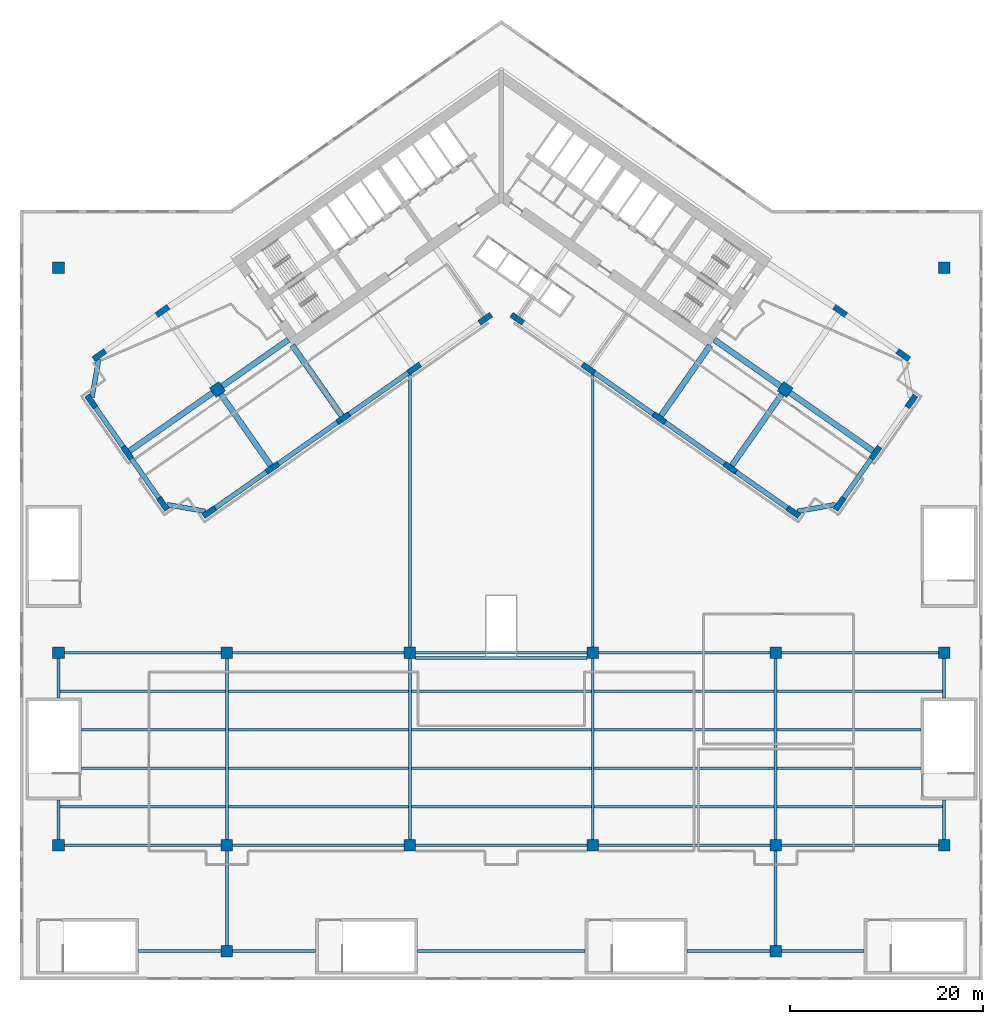
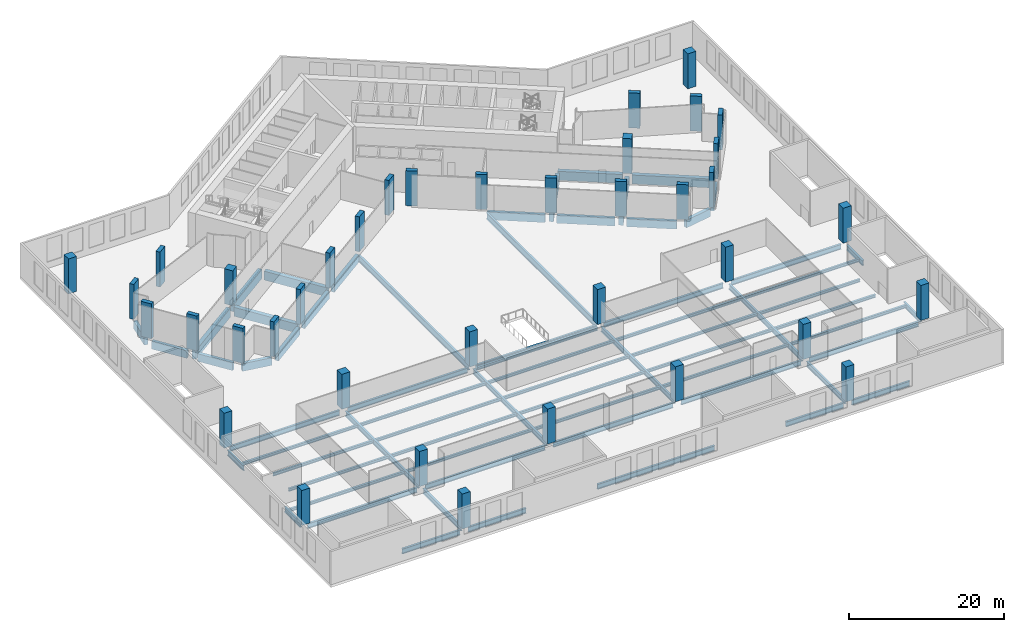
# One storey, part 1 of 15: 68 beams, 38 columns.
"""IFC4 building model written with IfcOpenShell, lengths in metres."""

from ifc_helpers import new_model, si_unit, direction, frame, origin, origin_2d, place, context, subcontext, project, spatial, rectangle, i_section, extrude, material, material_profile, profile_set, type_object, element, save


model = new_model("IFC4")

# Units and contexts
model_context = context("Model", 3, precision=1e-05, world=origin(), true_north=direction((0.0, 1.0)))
body_context = subcontext(model_context, "Body", "Model", "MODEL_VIEW")
ifc_project = project(units=[si_unit("LENGTHUNIT", "METRE"), si_unit("AREAUNIT", "SQUARE_METRE"), si_unit("VOLUMEUNIT", "CUBIC_METRE"), si_unit("PLANEANGLEUNIT", "RADIAN"), si_unit("MASSUNIT", "GRAM", prefix="KILO")], contexts=[model_context])

# Site, building, storey
site_placement = place(None, origin())
site = spatial("IfcSite", under=ifc_project, at=site_placement, CompositionType="ELEMENT")
building_placement = place(site_placement, origin())
building = spatial("IfcBuilding", under=site, at=building_placement, Name="Tel Ilan Convention Tower", CompositionType="ELEMENT")
storey_placement = place(building_placement, frame((0.0, 0.0, 43.0)))
storey = spatial("IfcBuildingStorey", under=building, at=storey_placement, Name="L06", CompositionType="ELEMENT", Elevation=43.0)

# Columns
ifc_material_1 = material(Name="Concrete C50/60", Category="concrete")
ifc_material_profile_1 = material_profile(ifc_material_1, rectangle(XDim=1.199951171875, YDim=1.199951171875, at=origin_2d()), Name="RC 1200x1200")
ifc_profile_set_1 = profile_set([ifc_material_profile_1], Name="Concrete C50/60")
column_type_1 = type_object("IfcColumnType", Name="Column RC 1200x1200 C50/60", PredefinedType="COLUMN", material=ifc_profile_set_1)
for number, where, z_axis, x_axis, name in (
    (1, (-28.5, -79.0, 0.0), (0.0, 0.0, 1.0), (1.0, 0.0, 0.0), "L06 column PC12"),
    (2, (28.5, -79.0, 0.0), (0.0, 0.0, 1.0), (1.0, 0.0, 0.0), "L06 column PC15"),
    (3, (-46.0, -68.0, 0.0), (0.0, 0.0, 1.0), (1.0, 0.0, 0.0), "L06 column PC21"),
    (4, (-28.5, -68.0, 0.0), (0.0, 0.0, 1.0), (1.0, 0.0, 0.0), "L06 column PC22"),
    (5, (-9.5, -68.0, 0.0), (0.0, 0.0, 1.0), (1.0, 0.0, 0.0), "L06 column PC23"),
    (6, (9.5, -68.0, 0.0), (0.0, 0.0, 1.0), (1.0, 0.0, 0.0), "L06 column PC24"),
    (7, (28.5, -68.0, 0.0), (0.0, 0.0, 1.0), (1.0, 0.0, 0.0), "L06 column PC25"),
    (8, (46.0, -68.0, 0.0), (0.0, 0.0, 1.0), (1.0, 0.0, 0.0), "L06 column PC26"),
    (9, (-46.0, -48.0, 0.0), (0.0, 0.0, 1.0), (1.0, 0.0, 0.0), "L06 column PC31"),
    (10, (-28.5, -48.0, 0.0), (0.0, 0.0, 1.0), (1.0, 0.0, 0.0), "L06 column PC32"),
    (11, (-9.5, -48.0, 0.0), (0.0, 0.0, 1.0), (1.0, 0.0, 0.0), "L06 column PC33"),
    (12, (9.5, -48.0, 0.0), (0.0, 0.0, 1.0), (1.0, 0.0, 0.0), "L06 column PC34"),
    (13, (28.5, -48.0, 0.0), (0.0, 0.0, 1.0), (1.0, 0.0, 0.0), "L06 column PC35"),
    (14, (46.0, -48.0, 0.0), (0.0, 0.0, 1.0), (1.0, 0.0, 0.0), "L06 column PC36"),
    (15, (-46.0, -8.0, 0.0), (0.0, 0.0, 1.0), (1.0, 0.0, 0.0), "L06 column PC51"),
    (16, (46.0, -8.0, 0.0), (0.0, 0.0, 1.0), (1.0, 0.0, 0.0), "L06 column PC56"),
):
    element("IfcColumn", number, at=place(storey_placement, frame(where, z_axis=z_axis, x_axis=x_axis)), inside=storey, type_object=column_type_1, Name=name, PredefinedType="COLUMN", context=body_context, shape_type="SweptSolid", body=[
        extrude(rectangle(XDim=1.199951171875, YDim=1.199951171875, at=origin_2d()), origin(), (0.0, 0.0, 1.0), 5.5),
    ])
ifc_material_2 = material(Name="Concrete C60/75", Category="concrete")
ifc_material_profile_2 = material_profile(ifc_material_2, rectangle(XDim=1.199951171875, YDim=1.199951171875, at=origin_2d()), Name="RC 1200x1200")
ifc_profile_set_2 = profile_set([ifc_material_profile_2], Name="Concrete C60/75")
column_type_2 = type_object("IfcColumnType", Name="Column RC 1200x1200 C60/75", PredefinedType="COLUMN", material=ifc_profile_set_2)
for number, where, z_axis, x_axis, name in (
    (17, (-29.489501953125, -20.648681640625, 0.0), (0.0, 0.0, 1.0), (-0.819152044289, -0.573576436351, 0.0), "L06 column W-M4"),
    (18, (29.489501953125, -20.648681640625, 0.0), (0.0, 0.0, 1.0), (0.819152044289, -0.573576436351, 0.0), "L06 column E-M4"),
):
    element("IfcColumn", number, at=place(storey_placement, frame(where, z_axis=z_axis, x_axis=x_axis)), inside=storey, type_object=column_type_2, Name=name, PredefinedType="COLUMN", context=body_context, shape_type="SweptSolid", body=[
        extrude(rectangle(XDim=1.199951171875, YDim=1.199951171875, at=origin_2d()), origin(), (0.0, 0.0, 1.0), 5.5),
    ])
ifc_material_3 = material(Name="Concrete C60/75", Category="concrete")
ifc_material_profile_3 = material_profile(ifc_material_3, rectangle(XDim=1.5, YDim=0.60009765625, at=origin_2d()), Name="RC 600x1500")
ifc_profile_set_3 = profile_set([ifc_material_profile_3], Name="Concrete C60/75")
column_type_3 = type_object("IfcColumnType", Name="Column RC 600x1500 C60/75", PredefinedType="COLUMN", material=ifc_profile_set_3)
for number, where, z_axis, x_axis, name in (
    (19, (-1.665283203125, -13.312744140625, 0.0), (0.0, 0.0, 1.0), (-0.819152044289, -0.573576436351, 0.0), "L06 column W-F1"),
    (20, (-9.03759765625, -18.474853515625, 0.0), (0.0, 0.0, 1.0), (-0.819152044289, -0.573576436351, 0.0), "L06 column W-F2"),
    (21, (-16.409912109375, -23.63720703125, 0.0), (0.0, 0.0, 1.0), (-0.819152044289, -0.573576436351, 0.0), "L06 column W-F3"),
    (22, (-23.782470703125, -28.79931640625, 0.0), (0.0, 0.0, 1.0), (-0.819152044289, -0.573576436351, 0.0), "L06 column W-F4"),
    (23, (-30.335693359375, -33.387939453125, 0.0), (0.0, 0.0, 1.0), (-0.819152044289, -0.573576436351, 0.0), "L06 column W-FC"),
    (24, (-35.196533203125, -12.498291015625, 0.0), (0.0, 0.0, 1.0), (-0.819152044289, -0.573576436351, 0.0), "L06 column W-B4"),
    (25, (-41.749755859375, -17.0869140625, 0.0), (0.0, 0.0, 1.0), (-0.819152044289, -0.573576436351, 0.0), "L06 column W-BC"),
    (26, (-35.140380859375, -32.540771484375, 0.0), (0.0, 0.0, 1.0), (-0.573576436351, 0.819152044289, 0.0), "L06 column W-E1"),
    (27, (-38.868896484375, -27.21630859375, 0.0), (0.0, 0.0, 1.0), (-0.573576436351, 0.819152044289, 0.0), "L06 column W-E2"),
    (28, (-42.596923828125, -21.8916015625, 0.0), (0.0, 0.0, 1.0), (-0.573576436351, 0.819152044289, 0.0), "L06 column W-E3"),
    (29, (1.665283203125, -13.312744140625, 0.0), (0.0, 0.0, 1.0), (0.819152044289, -0.573576436351, 0.0), "L06 column E-F1"),
    (30, (9.03759765625, -18.474853515625, 0.0), (0.0, 0.0, 1.0), (0.819152044289, -0.573576436351, 0.0), "L06 column E-F2"),
    (31, (16.409912109375, -23.63720703125, 0.0), (0.0, 0.0, 1.0), (0.819152044289, -0.573576436351, 0.0), "L06 column E-F3"),
    (32, (23.782470703125, -28.79931640625, 0.0), (0.0, 0.0, 1.0), (0.819152044289, -0.573576436351, 0.0), "L06 column E-F4"),
    (33, (30.335693359375, -33.387939453125, 0.0), (0.0, 0.0, 1.0), (0.819152044289, -0.573576436351, 0.0), "L06 column E-FC"),
    (34, (35.196533203125, -12.498291015625, 0.0), (0.0, 0.0, 1.0), (0.819152044289, -0.573576436351, 0.0), "L06 column E-B4"),
    (35, (41.749755859375, -17.0869140625, 0.0), (0.0, 0.0, 1.0), (0.819152044289, -0.573576436351, 0.0), "L06 column E-BC"),
    (36, (35.140380859375, -32.540771484375, 0.0), (0.0, 0.0, 1.0), (0.573576436351, 0.819152044289, 0.0), "L06 column E-E1"),
    (37, (38.868896484375, -27.21630859375, 0.0), (0.0, 0.0, 1.0), (0.573576436351, 0.819152044289, 0.0), "L06 column E-E2"),
    (38, (42.596923828125, -21.8916015625, 0.0), (0.0, 0.0, 1.0), (0.573576436351, 0.819152044289, 0.0), "L06 column E-E3"),
):
    element("IfcColumn", number, at=place(storey_placement, frame(where, z_axis=z_axis, x_axis=x_axis)), inside=storey, type_object=column_type_3, Name=name, PredefinedType="COLUMN", context=body_context, shape_type="SweptSolid", body=[
        extrude(rectangle(XDim=1.5, YDim=0.60009765625, at=origin_2d()), origin(), (0.0, 0.0, 1.0), 5.5),
    ])

# Beams
ifc_material_4 = material(Name="Concrete C40/50", Category="concrete")
ifc_material_profile_4 = material_profile(ifc_material_4, rectangle(XDim=0.5, YDim=1.199951171875, at=origin_2d()), Name="RC 500x1200")
ifc_profile_set_4 = profile_set([ifc_material_profile_4], Name="Concrete C40/50")
beam_type_1 = type_object("IfcBeamType", Name="Beam RC 500x1200 Concrete C40/50", PredefinedType="BEAM", material=ifc_profile_set_4)
for number, where, z_axis, x_axis, name in (
    (39, (-9.652099609375, -18.905029296875, -1.0), (-0.81915238829, -0.573575945067, 0.0), (0.573575945067, -0.81915238829, 0.0), "L06 beam W-W-F2-W-F3"),
    (40, (-17.0244140625, -24.0673828125, -1.0), (-0.81915238829, -0.573575945067, 0.0), (0.573575945067, -0.81915238829, 0.0), "L06 beam W-W-F3-W-F4"),
):
    element("IfcBeam", number, at=place(storey_placement, frame(where, z_axis=z_axis, x_axis=x_axis)), inside=storey, type_object=beam_type_1, Name=name, PredefinedType="BEAM", context=body_context, shape_type="SweptSolid", body=[
        extrude(rectangle(XDim=0.5, YDim=1.199951171875, at=origin_2d()), origin(), (0.0, 0.0, 1.0), 7.5),
    ])
beam_1_placement = place(storey_placement, frame((-24.396728515625, -29.2294921875, -1.0), z_axis=(-0.819148977158, -0.573580816643, 0.0), x_axis=(0.573580816643, -0.819148977158, 0.0)))
element("IfcBeam", 41, at=beam_1_placement, inside=storey, type_object=beam_type_1, Name="L06 beam W-W-F4-W-FC", PredefinedType="BEAM", context=body_context, shape_type="SweptSolid", body=[
    extrude(rectangle(XDim=0.5, YDim=1.199951171875, at=origin_2d()), origin(), (0.0, 0.0, 1.0), 6.5),
])
beam_2_placement = place(storey_placement, frame((-30.75341796875, -33.314208984375, -1.0), z_axis=(-0.984815252405, 0.173605641124, 0.0), x_axis=(-0.173605641124, -0.984815252405, 0.0)))
element("IfcBeam", 42, at=beam_2_placement, inside=storey, type_object=beam_type_1, Name="L06 beam W-W-FC-W-E1", PredefinedType="BEAM", context=body_context, shape_type="SweptSolid", body=[
    extrude(rectangle(XDim=0.5, YDim=1.199951171875, at=origin_2d()), origin(), (0.0, 0.0, 1.0), 4.030517578125),
])
for number, where, z_axis, x_axis, name in (
    (43, (-35.57080078125, -31.92626953125, -1.0), (-0.573586866468, 0.819144740944, 0.0), (-0.819144740944, -0.573586866468, 0.0), "L06 beam W-W-E1-W-E2"),
    (44, (-39.298828125, -26.601806640625, -1.0), (-0.573586866468, 0.819144740944, 0.0), (-0.819144740944, -0.573586866468, 0.0), "L06 beam W-W-E2-W-E3"),
):
    element("IfcBeam", number, at=place(storey_placement, frame(where, z_axis=z_axis, x_axis=x_axis)), inside=storey, type_object=beam_type_1, Name=name, PredefinedType="BEAM", context=body_context, shape_type="SweptSolid", body=[
        extrude(rectangle(XDim=0.5, YDim=1.199951171875, at=origin_2d()), origin(), (0.0, 0.0, 1.0), 5.0),
    ])
beam_3_placement = place(storey_placement, frame((-42.523193359375, -21.473876953125, -1.0), z_axis=(0.173605641124, 0.984815252405, 0.0), x_axis=(-0.984815252405, 0.173605641124, 0.0)))
element("IfcBeam", 45, at=beam_3_placement, inside=storey, type_object=beam_type_1, Name="L06 beam W-W-E3-W-BC", PredefinedType="BEAM", context=body_context, shape_type="SweptSolid", body=[
    extrude(rectangle(XDim=0.5, YDim=1.199951171875, at=origin_2d()), origin(), (0.0, 0.0, 1.0), 4.030517578125),
])
for number, where, z_axis, x_axis, name in (
    (46, (9.652099609375, -18.905029296875, -1.0), (0.81915238829, -0.573575945067, 0.0), (0.573575945067, 0.81915238829, 0.0), "L06 beam E-E-F2-E-F3"),
    (47, (17.0244140625, -24.0673828125, -1.0), (0.81915238829, -0.573575945067, 0.0), (0.573575945067, 0.81915238829, 0.0), "L06 beam E-E-F3-E-F4"),
):
    element("IfcBeam", number, at=place(storey_placement, frame(where, z_axis=z_axis, x_axis=x_axis)), inside=storey, type_object=beam_type_1, Name=name, PredefinedType="BEAM", context=body_context, shape_type="SweptSolid", body=[
        extrude(rectangle(XDim=0.5, YDim=1.199951171875, at=origin_2d()), origin(), (0.0, 0.0, 1.0), 7.5),
    ])
beam_4_placement = place(storey_placement, frame((24.396728515625, -29.2294921875, -1.0), z_axis=(0.819148977158, -0.573580816643, 0.0), x_axis=(0.573580816643, 0.819148977158, 0.0)))
element("IfcBeam", 48, at=beam_4_placement, inside=storey, type_object=beam_type_1, Name="L06 beam E-E-F4-E-FC", PredefinedType="BEAM", context=body_context, shape_type="SweptSolid", body=[
    extrude(rectangle(XDim=0.5, YDim=1.199951171875, at=origin_2d()), origin(), (0.0, 0.0, 1.0), 6.5),
])
beam_5_placement = place(storey_placement, frame((30.75341796875, -33.314208984375, -1.0), z_axis=(0.984815252405, 0.173605641124, 0.0), x_axis=(-0.173605641124, 0.984815252405, 0.0)))
element("IfcBeam", 49, at=beam_5_placement, inside=storey, type_object=beam_type_1, Name="L06 beam E-E-FC-E-E1", PredefinedType="BEAM", context=body_context, shape_type="SweptSolid", body=[
    extrude(rectangle(XDim=0.5, YDim=1.199951171875, at=origin_2d()), origin(), (0.0, 0.0, 1.0), 4.030517578125),
])
beam_6_placement = place(storey_placement, frame((35.57080078125, -31.92626953125, -1.0), z_axis=(0.573586866468, 0.819144740944, 0.0), x_axis=(-0.819144740944, 0.573586866468, 0.0)))
element("IfcBeam", 50, at=beam_6_placement, inside=storey, type_object=beam_type_1, Name="L06 beam E-E-E1-E-E2", PredefinedType="BEAM", context=body_context, shape_type="SweptSolid", body=[
    extrude(rectangle(XDim=0.5, YDim=1.199951171875, at=origin_2d()), origin(), (0.0, 0.0, 1.0), 5.0),
])
ifc_material_5 = material(Name="Concrete C40/50", Category="concrete")
ifc_material_profile_5 = material_profile(ifc_material_5, rectangle(XDim=0.60009765625, YDim=1.39990234375, at=origin_2d()), Name="RC 600x1400")
ifc_profile_set_5 = profile_set([ifc_material_profile_5], Name="Concrete C40/50")
beam_type_2 = type_object("IfcBeamType", Name="Beam RC 600x1400 Concrete C40/50", PredefinedType="BEAM", material=ifc_profile_set_5)
beam_7_placement = place(storey_placement, frame((-16.58203125, -23.391357421875, -1.10009765625), z_axis=(-0.573584999642, 0.819146048141, 0.0), x_axis=(-0.819146048141, -0.573584999642, 0.0)))
element("IfcBeam", 51, at=beam_7_placement, inside=storey, type_object=beam_type_2, Name="L06 beam W-W-F3-core", PredefinedType="BEAM", context=body_context, shape_type="SweptSolid", body=[
    extrude(rectangle(XDim=0.60009765625, YDim=1.39990234375, at=origin_2d()), origin(), (0.0, 0.0, 1.0), 8.949951171875),
])
beam_8_placement = place(storey_placement, frame((-22.1171875, -15.486572265625, -1.10009765625), z_axis=(-0.819147254605, -0.573583276668, 0.0), x_axis=(0.573583276668, -0.819147254605, 0.0)))
element("IfcBeam", 52, at=beam_8_placement, inside=storey, type_object=beam_type_2, Name="L06 beam W-core-W-M4", PredefinedType="BEAM", context=body_context, shape_type="SweptSolid", body=[
    extrude(rectangle(XDim=0.60009765625, YDim=1.39990234375, at=origin_2d()), origin(), (0.0, 0.0, 1.0), 8.400146484375),
])
beam_9_placement = place(storey_placement, frame((-29.98095703125, -20.992919921875, -1.10009765625), z_axis=(-0.819151461915, -0.573577268067, 0.0), x_axis=(0.573577268067, -0.819151461915, 0.0)))
element("IfcBeam", 53, at=beam_9_placement, inside=storey, type_object=beam_type_2, Name="L06 beam W-W-M4-end", PredefinedType="BEAM", context=body_context, shape_type="SweptSolid", body=[
    extrude(rectangle(XDim=0.60009765625, YDim=1.39990234375, at=origin_2d()), origin(), (0.0, 0.0, 1.0), 10.550048828125),
])
beam_10_placement = place(storey_placement, frame((-29.145263671875, -21.14013671875, -1.10009765625), z_axis=(0.573549245583, -0.819171082798, 0.0), x_axis=(0.819171082798, 0.573549245583, 0.0)))
element("IfcBeam", 54, at=beam_10_placement, inside=storey, type_object=beam_type_2, Name="L06 beam W-W-M4-W-F4", PredefinedType="BEAM", context=body_context, shape_type="SweptSolid", body=[
    extrude(rectangle(XDim=0.60009765625, YDim=1.39990234375, at=origin_2d()), origin(), (0.0, 0.0, 1.0), 9.050048828125),
])
beam_11_placement = place(storey_placement, frame((16.58203125, -23.391357421875, -1.10009765625), z_axis=(0.573584999642, 0.819146048141, 0.0), x_axis=(-0.819146048141, 0.573584999642, 0.0)))
element("IfcBeam", 55, at=beam_11_placement, inside=storey, type_object=beam_type_2, Name="L06 beam E-E-F3-core", PredefinedType="BEAM", context=body_context, shape_type="SweptSolid", body=[
    extrude(rectangle(XDim=0.60009765625, YDim=1.39990234375, at=origin_2d()), origin(), (0.0, 0.0, 1.0), 8.949951171875),
])
beam_12_placement = place(storey_placement, frame((22.1171875, -15.486572265625, -1.10009765625), z_axis=(0.819147254605, -0.573583276668, 0.0), x_axis=(0.573583276668, 0.819147254605, 0.0)))
element("IfcBeam", 56, at=beam_12_placement, inside=storey, type_object=beam_type_2, Name="L06 beam E-core-E-M4", PredefinedType="BEAM", context=body_context, shape_type="SweptSolid", body=[
    extrude(rectangle(XDim=0.60009765625, YDim=1.39990234375, at=origin_2d()), origin(), (0.0, 0.0, 1.0), 8.400146484375),
])
beam_13_placement = place(storey_placement, frame((29.98095703125, -20.992919921875, -1.10009765625), z_axis=(0.819151461915, -0.573577268067, 0.0), x_axis=(0.573577268067, 0.819151461915, 0.0)))
element("IfcBeam", 57, at=beam_13_placement, inside=storey, type_object=beam_type_2, Name="L06 beam E-E-M4-end", PredefinedType="BEAM", context=body_context, shape_type="SweptSolid", body=[
    extrude(rectangle(XDim=0.60009765625, YDim=1.39990234375, at=origin_2d()), origin(), (0.0, 0.0, 1.0), 10.550048828125),
])
beam_14_placement = place(storey_placement, frame((29.145263671875, -21.14013671875, -1.10009765625), z_axis=(-0.573549245583, -0.819171082798, 0.0), x_axis=(0.819171082798, -0.573549245583, 0.0)))
element("IfcBeam", 58, at=beam_14_placement, inside=storey, type_object=beam_type_2, Name="L06 beam E-E-M4-E-F4", PredefinedType="BEAM", context=body_context, shape_type="SweptSolid", body=[
    extrude(rectangle(XDim=0.60009765625, YDim=1.39990234375, at=origin_2d()), origin(), (0.0, 0.0, 1.0), 9.050048828125),
])
ifc_material_6 = material(Name="Steel S355", Category="steel")
ifc_material_profile_6 = material_profile(ifc_material_6, i_section(OverallWidth=0.300048828125, OverallDepth=1.0, WebThickness=0.01904296875, FlangeThickness=0.035888671875, FilletRadius=0.030029296875, at=origin_2d()), Name="HEB 1000")
ifc_profile_set_6 = profile_set([ifc_material_profile_6], Name="Steel S355")
beam_type_3 = type_object("IfcBeamType", Name="Girder HEB 1000 Steel S355", PredefinedType="BEAM", material=ifc_profile_set_6)
for number, where, z_axis, x_axis, name in (
    (59, (-9.5, -47.39990234375, -0.89990234375), (0.0, 1.0, 0.0), (-1.0, 0.0, 0.0), "L06 beam GN1"),
    (60, (9.5, -47.39990234375, -0.89990234375), (0.0, 1.0, 0.0), (-1.0, 0.0, 0.0), "L06 beam GN2"),
):
    element("IfcBeam", number, at=place(storey_placement, frame(where, z_axis=z_axis, x_axis=x_axis)), inside=storey, type_object=beam_type_3, Name=name, PredefinedType="BEAM", context=body_context, shape_type="SweptSolid", body=[
        extrude(i_section(OverallWidth=0.300048828125, OverallDepth=1.0, WebThickness=0.01904296875, FlangeThickness=0.035888671875, FilletRadius=0.030029296875, at=origin_2d()), origin(), (0.0, 0.0, 1.0), 28.277587890625),
    ])
ifc_material_7 = material(Name="Steel S355", Category="steel")
ifc_material_profile_7 = material_profile(ifc_material_7, i_section(OverallWidth=0.300048828125, OverallDepth=0.800048828125, WebThickness=0.017578125, FlangeThickness=0.032958984375, FilletRadius=0.030029296875, at=origin_2d()), Name="HEB 800")
ifc_profile_set_7 = profile_set([ifc_material_profile_7], Name="Steel S355")
beam_type_4 = type_object("IfcBeamType", Name="Girder HEB 800 Steel S355", PredefinedType="BEAM", material=ifc_profile_set_7)
beam_15_placement = place(storey_placement, frame((-45.39990234375, -68.0, -0.800048828125), z_axis=(1.0, 0.0, 0.0), x_axis=(0.0, 1.0, 0.0)))
element("IfcBeam", 61, at=beam_15_placement, inside=storey, type_object=beam_type_4, Name="L06 beam GX21-2", PredefinedType="BEAM", context=body_context, shape_type="SweptSolid", body=[
    extrude(i_section(OverallWidth=0.300048828125, OverallDepth=0.800048828125, WebThickness=0.017578125, FlangeThickness=0.032958984375, FilletRadius=0.030029296875, at=origin_2d()), origin(), (0.0, 0.0, 1.0), 16.2998046875),
])
for number, where, z_axis, x_axis, name in (
    (62, (-27.89990234375, -68.0, -0.800048828125), (1.0, 0.0, 0.0), (0.0, 1.0, 0.0), "L06 beam GX22-3"),
    (63, (-8.89990234375, -68.0, -0.800048828125), (1.0, 0.0, 0.0), (0.0, 1.0, 0.0), "L06 beam GX23-4"),
    (64, (10.10009765625, -68.0, -0.800048828125), (1.0, 0.0, 0.0), (0.0, 1.0, 0.0), "L06 beam GX24-5"),
):
    element("IfcBeam", number, at=place(storey_placement, frame(where, z_axis=z_axis, x_axis=x_axis)), inside=storey, type_object=beam_type_4, Name=name, PredefinedType="BEAM", context=body_context, shape_type="SweptSolid", body=[
        extrude(i_section(OverallWidth=0.300048828125, OverallDepth=0.800048828125, WebThickness=0.017578125, FlangeThickness=0.032958984375, FilletRadius=0.030029296875, at=origin_2d()), origin(), (0.0, 0.0, 1.0), 17.7998046875),
    ])
for number, where, z_axis, x_axis, name in (
    (65, (29.10009765625, -68.0, -0.800048828125), (1.0, 0.0, 0.0), (0.0, 1.0, 0.0), "L06 beam GX25-6"),
    (66, (-45.39990234375, -48.0, -0.800048828125), (1.0, 0.0, 0.0), (0.0, 1.0, 0.0), "L06 beam GX31-2"),
):
    element("IfcBeam", number, at=place(storey_placement, frame(where, z_axis=z_axis, x_axis=x_axis)), inside=storey, type_object=beam_type_4, Name=name, PredefinedType="BEAM", context=body_context, shape_type="SweptSolid", body=[
        extrude(i_section(OverallWidth=0.300048828125, OverallDepth=0.800048828125, WebThickness=0.017578125, FlangeThickness=0.032958984375, FilletRadius=0.030029296875, at=origin_2d()), origin(), (0.0, 0.0, 1.0), 16.2998046875),
    ])
for number, where, z_axis, x_axis, name in (
    (67, (-27.89990234375, -48.0, -0.800048828125), (1.0, 0.0, 0.0), (0.0, 1.0, 0.0), "L06 beam GX32-3"),
    (68, (-8.89990234375, -48.0, -0.800048828125), (1.0, 0.0, 0.0), (0.0, 1.0, 0.0), "L06 beam GX33-4"),
    (69, (10.10009765625, -48.0, -0.800048828125), (1.0, 0.0, 0.0), (0.0, 1.0, 0.0), "L06 beam GX34-5"),
):
    element("IfcBeam", number, at=place(storey_placement, frame(where, z_axis=z_axis, x_axis=x_axis)), inside=storey, type_object=beam_type_4, Name=name, PredefinedType="BEAM", context=body_context, shape_type="SweptSolid", body=[
        extrude(i_section(OverallWidth=0.300048828125, OverallDepth=0.800048828125, WebThickness=0.017578125, FlangeThickness=0.032958984375, FilletRadius=0.030029296875, at=origin_2d()), origin(), (0.0, 0.0, 1.0), 17.7998046875),
    ])
beam_16_placement = place(storey_placement, frame((29.10009765625, -48.0, -0.800048828125), z_axis=(1.0, 0.0, 0.0), x_axis=(0.0, 1.0, 0.0)))
element("IfcBeam", 70, at=beam_16_placement, inside=storey, type_object=beam_type_4, Name="L06 beam GX35-6", PredefinedType="BEAM", context=body_context, shape_type="SweptSolid", body=[
    extrude(i_section(OverallWidth=0.300048828125, OverallDepth=0.800048828125, WebThickness=0.017578125, FlangeThickness=0.032958984375, FilletRadius=0.030029296875, at=origin_2d()), origin(), (0.0, 0.0, 1.0), 16.2998046875),
])
for number, where, z_axis, x_axis, name in (
    (71, (-46.0, -67.39990234375, -0.800048828125), (0.0, 1.0, 0.0), (-1.0, 0.0, 0.0), "L06 beam GY12-3"),
    (72, (-46.0, -52.699951171875, -0.800048828125), (0.0, 1.0, 0.0), (-1.0, 0.0, 0.0), "L06 beam GY12-3"),
):
    element("IfcBeam", number, at=place(storey_placement, frame(where, z_axis=z_axis, x_axis=x_axis)), inside=storey, type_object=beam_type_4, Name=name, PredefinedType="BEAM", context=body_context, shape_type="SweptSolid", body=[
        extrude(i_section(OverallWidth=0.300048828125, OverallDepth=0.800048828125, WebThickness=0.017578125, FlangeThickness=0.032958984375, FilletRadius=0.030029296875, at=origin_2d()), origin(), (0.0, 0.0, 1.0), 4.099853515625),
    ])
beam_17_placement = place(storey_placement, frame((-28.5, -78.39990234375, -0.800048828125), z_axis=(0.0, 1.0, 0.0), x_axis=(-1.0, 0.0, 0.0)))
element("IfcBeam", 73, at=beam_17_placement, inside=storey, type_object=beam_type_4, Name="L06 beam GY21-2", PredefinedType="BEAM", context=body_context, shape_type="SweptSolid", body=[
    extrude(i_section(OverallWidth=0.300048828125, OverallDepth=0.800048828125, WebThickness=0.017578125, FlangeThickness=0.032958984375, FilletRadius=0.030029296875, at=origin_2d()), origin(), (0.0, 0.0, 1.0), 9.7998046875),
])
for number, where, z_axis, x_axis, name in (
    (74, (-28.5, -67.39990234375, -0.800048828125), (0.0, 1.0, 0.0), (-1.0, 0.0, 0.0), "L06 beam GY22-3"),
    (75, (-9.5, -67.39990234375, -0.800048828125), (0.0, 1.0, 0.0), (-1.0, 0.0, 0.0), "L06 beam GY32-3"),
    (76, (9.5, -67.39990234375, -0.800048828125), (0.0, 1.0, 0.0), (-1.0, 0.0, 0.0), "L06 beam GY42-3"),
):
    element("IfcBeam", number, at=place(storey_placement, frame(where, z_axis=z_axis, x_axis=x_axis)), inside=storey, type_object=beam_type_4, Name=name, PredefinedType="BEAM", context=body_context, shape_type="SweptSolid", body=[
        extrude(i_section(OverallWidth=0.300048828125, OverallDepth=0.800048828125, WebThickness=0.017578125, FlangeThickness=0.032958984375, FilletRadius=0.030029296875, at=origin_2d()), origin(), (0.0, 0.0, 1.0), 18.7998046875),
    ])
beam_18_placement = place(storey_placement, frame((28.5, -78.39990234375, -0.800048828125), z_axis=(0.0, 1.0, 0.0), x_axis=(-1.0, 0.0, 0.0)))
element("IfcBeam", 77, at=beam_18_placement, inside=storey, type_object=beam_type_4, Name="L06 beam GY51-2", PredefinedType="BEAM", context=body_context, shape_type="SweptSolid", body=[
    extrude(i_section(OverallWidth=0.300048828125, OverallDepth=0.800048828125, WebThickness=0.017578125, FlangeThickness=0.032958984375, FilletRadius=0.030029296875, at=origin_2d()), origin(), (0.0, 0.0, 1.0), 9.7998046875),
])
beam_19_placement = place(storey_placement, frame((28.5, -67.39990234375, -0.800048828125), z_axis=(0.0, 1.0, 0.0), x_axis=(-1.0, 0.0, 0.0)))
element("IfcBeam", 78, at=beam_19_placement, inside=storey, type_object=beam_type_4, Name="L06 beam GY52-3", PredefinedType="BEAM", context=body_context, shape_type="SweptSolid", body=[
    extrude(i_section(OverallWidth=0.300048828125, OverallDepth=0.800048828125, WebThickness=0.017578125, FlangeThickness=0.032958984375, FilletRadius=0.030029296875, at=origin_2d()), origin(), (0.0, 0.0, 1.0), 18.7998046875),
])
for number, where, z_axis, x_axis, name in (
    (79, (46.0, -67.39990234375, -0.800048828125), (0.0, 1.0, 0.0), (-1.0, 0.0, 0.0), "L06 beam GY62-3"),
    (80, (46.0, -52.699951171875, -0.800048828125), (0.0, 1.0, 0.0), (-1.0, 0.0, 0.0), "L06 beam GY62-3"),
):
    element("IfcBeam", number, at=place(storey_placement, frame(where, z_axis=z_axis, x_axis=x_axis)), inside=storey, type_object=beam_type_4, Name=name, PredefinedType="BEAM", context=body_context, shape_type="SweptSolid", body=[
        extrude(i_section(OverallWidth=0.300048828125, OverallDepth=0.800048828125, WebThickness=0.017578125, FlangeThickness=0.032958984375, FilletRadius=0.030029296875, at=origin_2d()), origin(), (0.0, 0.0, 1.0), 4.099853515625),
    ])
for number, where, z_axis, x_axis, name in (
    (81, (-37.699951171875, -79.0, -0.800048828125), (1.0, 0.0, 0.0), (0.0, 1.0, 0.0), "L06 beam GS19"),
    (82, (-27.89990234375, -79.0, -0.800048828125), (1.0, 0.0, 0.0), (0.0, 1.0, 0.0), "L06 beam GS20"),
):
    element("IfcBeam", number, at=place(storey_placement, frame(where, z_axis=z_axis, x_axis=x_axis)), inside=storey, type_object=beam_type_4, Name=name, PredefinedType="BEAM", context=body_context, shape_type="SweptSolid", body=[
        extrude(i_section(OverallWidth=0.300048828125, OverallDepth=0.800048828125, WebThickness=0.017578125, FlangeThickness=0.032958984375, FilletRadius=0.030029296875, at=origin_2d()), origin(), (0.0, 0.0, 1.0), 8.599853515625),
    ])
beam_20_placement = place(storey_placement, frame((-8.699951171875, -79.0, -0.800048828125), z_axis=(1.0, 0.0, 0.0), x_axis=(0.0, 1.0, 0.0)))
element("IfcBeam", 83, at=beam_20_placement, inside=storey, type_object=beam_type_4, Name="L06 beam GS21", PredefinedType="BEAM", context=body_context, shape_type="SweptSolid", body=[
    extrude(i_section(OverallWidth=0.300048828125, OverallDepth=0.800048828125, WebThickness=0.017578125, FlangeThickness=0.032958984375, FilletRadius=0.030029296875, at=origin_2d()), origin(), (0.0, 0.0, 1.0), 17.39990234375),
])
for number, where, z_axis, x_axis, name in (
    (84, (19.300048828125, -79.0, -0.800048828125), (1.0, 0.0, 0.0), (0.0, 1.0, 0.0), "L06 beam GS22"),
    (85, (29.10009765625, -79.0, -0.800048828125), (1.0, 0.0, 0.0), (0.0, 1.0, 0.0), "L06 beam GS23"),
):
    element("IfcBeam", number, at=place(storey_placement, frame(where, z_axis=z_axis, x_axis=x_axis)), inside=storey, type_object=beam_type_4, Name=name, PredefinedType="BEAM", context=body_context, shape_type="SweptSolid", body=[
        extrude(i_section(OverallWidth=0.300048828125, OverallDepth=0.800048828125, WebThickness=0.017578125, FlangeThickness=0.032958984375, FilletRadius=0.030029296875, at=origin_2d()), origin(), (0.0, 0.0, 1.0), 8.599853515625),
    ])
ifc_material_8 = material(Name="Steel S355", Category="steel")
ifc_material_profile_8 = material_profile(ifc_material_8, i_section(OverallWidth=0.300048828125, OverallDepth=0.449951171875, WebThickness=0.013916015625, FlangeThickness=0.02587890625, FilletRadius=0.027099609375, at=origin_2d()), Name="HEB 450")
ifc_profile_set_8 = profile_set([ifc_material_profile_8], Name="Steel S355")
beam_type_5 = type_object("IfcBeamType", Name="Joist HEB 450 Steel S355", PredefinedType="JOIST", material=ifc_profile_set_8)
beam_21_placement = place(storey_placement, frame((-45.860107421875, -64.0, -0.625), z_axis=(1.0, 0.0, 0.0), x_axis=(0.0, 1.0, 0.0)))
element("IfcBeam", 86, at=beam_21_placement, inside=storey, type_object=beam_type_5, Name="L06 beam J1--68-1", PredefinedType="JOIST", context=body_context, shape_type="SweptSolid", body=[
    extrude(i_section(OverallWidth=0.300048828125, OverallDepth=0.449951171875, WebThickness=0.013916015625, FlangeThickness=0.02587890625, FilletRadius=0.027099609375, at=origin_2d()), origin(), (0.0, 0.0, 1.0), 17.22021484375),
])
for number, where, z_axis, x_axis, name in (
    (87, (-43.60009765625, -60.0, -0.625), (1.0, 0.0, 0.0), (0.0, 1.0, 0.0), "L06 beam J1--68-2"),
    (88, (-43.60009765625, -56.0, -0.625), (1.0, 0.0, 0.0), (0.0, 1.0, 0.0), "L06 beam J1--68-3"),
):
    element("IfcBeam", number, at=place(storey_placement, frame(where, z_axis=z_axis, x_axis=x_axis)), inside=storey, type_object=beam_type_5, Name=name, PredefinedType="JOIST", context=body_context, shape_type="SweptSolid", body=[
        extrude(i_section(OverallWidth=0.300048828125, OverallDepth=0.449951171875, WebThickness=0.013916015625, FlangeThickness=0.02587890625, FilletRadius=0.027099609375, at=origin_2d()), origin(), (0.0, 0.0, 1.0), 14.960205078125),
    ])
beam_22_placement = place(storey_placement, frame((-45.860107421875, -52.0, -0.625), z_axis=(1.0, 0.0, 0.0), x_axis=(0.0, 1.0, 0.0)))
element("IfcBeam", 89, at=beam_22_placement, inside=storey, type_object=beam_type_5, Name="L06 beam J1--68-4", PredefinedType="JOIST", context=body_context, shape_type="SweptSolid", body=[
    extrude(i_section(OverallWidth=0.300048828125, OverallDepth=0.449951171875, WebThickness=0.013916015625, FlangeThickness=0.02587890625, FilletRadius=0.027099609375, at=origin_2d()), origin(), (0.0, 0.0, 1.0), 17.22021484375),
])
for number, where, z_axis, x_axis, name in (
    (90, (-28.360107421875, -64.0, -0.625), (1.0, 0.0, 0.0), (0.0, 1.0, 0.0), "L06 beam J2--68-1"),
    (91, (-28.360107421875, -60.0, -0.625), (1.0, 0.0, 0.0), (0.0, 1.0, 0.0), "L06 beam J2--68-2"),
    (92, (-28.360107421875, -56.0, -0.625), (1.0, 0.0, 0.0), (0.0, 1.0, 0.0), "L06 beam J2--68-3"),
    (93, (-28.360107421875, -52.0, -0.625), (1.0, 0.0, 0.0), (0.0, 1.0, 0.0), "L06 beam J2--68-4"),
    (94, (-9.360107421875, -64.0, -0.625), (1.0, 0.0, 0.0), (0.0, 1.0, 0.0), "L06 beam J3--68-1"),
    (95, (-9.360107421875, -60.0, -0.625), (1.0, 0.0, 0.0), (0.0, 1.0, 0.0), "L06 beam J3--68-2"),
    (96, (-9.360107421875, -56.0, -0.625), (1.0, 0.0, 0.0), (0.0, 1.0, 0.0), "L06 beam J3--68-3"),
    (97, (-9.360107421875, -52.0, -0.625), (1.0, 0.0, 0.0), (0.0, 1.0, 0.0), "L06 beam J3--68-4"),
    (98, (9.639892578125, -64.0, -0.625), (1.0, 0.0, 0.0), (0.0, 1.0, 0.0), "L06 beam J4--68-1"),
    (99, (9.639892578125, -60.0, -0.625), (1.0, 0.0, 0.0), (0.0, 1.0, 0.0), "L06 beam J4--68-2"),
    (100, (9.639892578125, -56.0, -0.625), (1.0, 0.0, 0.0), (0.0, 1.0, 0.0), "L06 beam J4--68-3"),
    (101, (9.639892578125, -52.0, -0.625), (1.0, 0.0, 0.0), (0.0, 1.0, 0.0), "L06 beam J4--68-4"),
):
    element("IfcBeam", number, at=place(storey_placement, frame(where, z_axis=z_axis, x_axis=x_axis)), inside=storey, type_object=beam_type_5, Name=name, PredefinedType="JOIST", context=body_context, shape_type="SweptSolid", body=[
        extrude(i_section(OverallWidth=0.300048828125, OverallDepth=0.449951171875, WebThickness=0.013916015625, FlangeThickness=0.02587890625, FilletRadius=0.027099609375, at=origin_2d()), origin(), (0.0, 0.0, 1.0), 18.72021484375),
    ])
beam_23_placement = place(storey_placement, frame((28.639892578125, -64.0, -0.625), z_axis=(1.0, 0.0, 0.0), x_axis=(0.0, 1.0, 0.0)))
element("IfcBeam", 102, at=beam_23_placement, inside=storey, type_object=beam_type_5, Name="L06 beam J5--68-1", PredefinedType="JOIST", context=body_context, shape_type="SweptSolid", body=[
    extrude(i_section(OverallWidth=0.300048828125, OverallDepth=0.449951171875, WebThickness=0.013916015625, FlangeThickness=0.02587890625, FilletRadius=0.027099609375, at=origin_2d()), origin(), (0.0, 0.0, 1.0), 17.22021484375),
])
for number, where, z_axis, x_axis, name in (
    (103, (28.639892578125, -60.0, -0.625), (1.0, 0.0, 0.0), (0.0, 1.0, 0.0), "L06 beam J5--68-2"),
    (104, (28.639892578125, -56.0, -0.625), (1.0, 0.0, 0.0), (0.0, 1.0, 0.0), "L06 beam J5--68-3"),
):
    element("IfcBeam", number, at=place(storey_placement, frame(where, z_axis=z_axis, x_axis=x_axis)), inside=storey, type_object=beam_type_5, Name=name, PredefinedType="JOIST", context=body_context, shape_type="SweptSolid", body=[
        extrude(i_section(OverallWidth=0.300048828125, OverallDepth=0.449951171875, WebThickness=0.013916015625, FlangeThickness=0.02587890625, FilletRadius=0.027099609375, at=origin_2d()), origin(), (0.0, 0.0, 1.0), 14.960205078125),
    ])
beam_24_placement = place(storey_placement, frame((28.639892578125, -52.0, -0.625), z_axis=(1.0, 0.0, 0.0), x_axis=(0.0, 1.0, 0.0)))
element("IfcBeam", 105, at=beam_24_placement, inside=storey, type_object=beam_type_5, Name="L06 beam J5--68-4", PredefinedType="JOIST", context=body_context, shape_type="SweptSolid", body=[
    extrude(i_section(OverallWidth=0.300048828125, OverallDepth=0.449951171875, WebThickness=0.013916015625, FlangeThickness=0.02587890625, FilletRadius=0.027099609375, at=origin_2d()), origin(), (0.0, 0.0, 1.0), 17.22021484375),
])
beam_25_placement = place(storey_placement, frame((-8.89990234375, -48.535888671875, -0.625), z_axis=(1.0, 0.0, 0.0), x_axis=(0.0, 1.0, 0.0)))
element("IfcBeam", 106, at=beam_25_placement, inside=storey, type_object=beam_type_5, Name="L06 beam TE6", PredefinedType="JOIST", context=body_context, shape_type="SweptSolid", body=[
    extrude(i_section(OverallWidth=0.300048828125, OverallDepth=0.449951171875, WebThickness=0.013916015625, FlangeThickness=0.02587890625, FilletRadius=0.027099609375, at=origin_2d()), origin(), (0.0, 0.0, 1.0), 17.7998046875),
])

save(model, "model.ifc")
